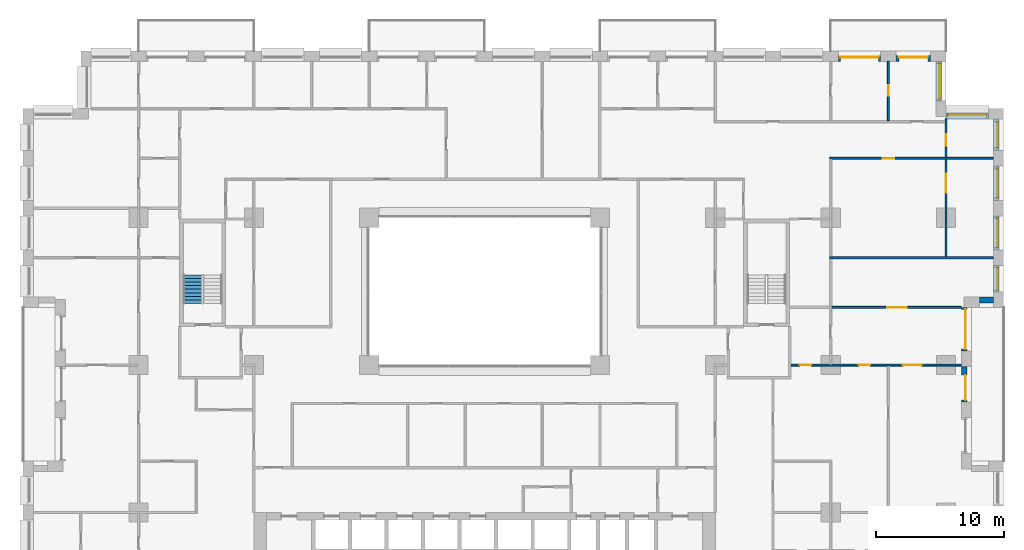
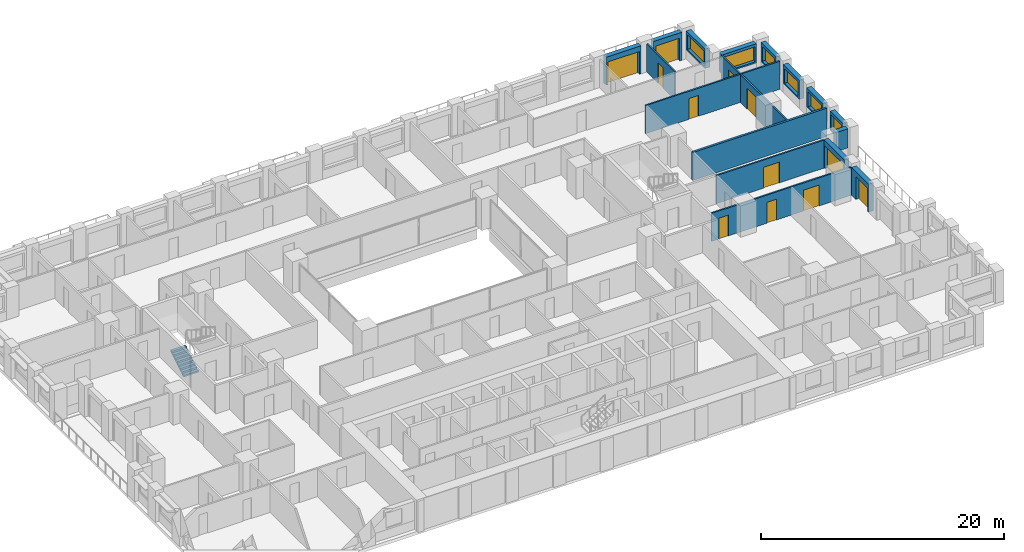
# One storey, part 18 of 21: 18 walls, 12 doors, 6 windows, 1 stair flight, 18 openings, 1 element without a shape of its own.
"""IFC4 building model written with IfcOpenShell, lengths in metres."""

import ifcopenshell
import ifcopenshell.guid

model = None  # the IFC model being written
_history = None  # IfcOwnerHistory: only IFC2X3 demands one
_inside = {}  # id of a spatial element -> (the spatial element, [elements in it])
_under = {}  # id of a project, library or spatial element -> (it, [spatial elements below it])
_declared = {}  # id of a project -> (the project, [libraries it declares])
_typed = {}  # id of a type object -> (the type object, [elements of that type])
_made_of = {}  # id of a material, layer set ... -> (it, [elements and type objects made of it])


def new_model(schema):
    """Start an empty IFC model of exactly this schema.

    Asked for "IFC4X3", IfcOpenShell would pick the latest addendum, in which some entities
    have other attributes; the version numbers below select the first issue.
    IFC2X3 requires an IfcOwnerHistory on every rooted entity: one is made here for all.
    """
    global model, _history
    if schema == "IFC4X3":
        model = ifcopenshell.file(schema_version=(4, 3, 0, 0))
    else:
        model = ifcopenshell.file(schema=schema)
    _inside.clear()
    _under.clear()
    _declared.clear()
    _typed.clear()
    _made_of.clear()
    _history = None
    if model.schema == "IFC2X3":
        org = make("IfcOrganization", Name="unknown")
        user = make(
            "IfcPersonAndOrganization",
            ThePerson=make("IfcPerson", FamilyName="unknown"),
            TheOrganization=org,
        )
        app = make(
            "IfcApplication",
            ApplicationDeveloper=org,
            Version="unknown",
            ApplicationFullName="unknown",
            ApplicationIdentifier="unknown",
        )
        _history = make(
            "IfcOwnerHistory",
            OwningUser=user,
            OwningApplication=app,
            ChangeAction="ADDED",
            CreationDate=0,
        )
    return model


def make(cls, **values):
    """One entity of the class cls with the attributes given. An attribute that is None is left unset."""
    return model.create_entity(
        cls, **{name: value for name, value in values.items() if value is not None}
    )


def rooted(cls, **values):
    """An entity with a GlobalId (a new one), such as an element, a storey or a relation."""
    return make(cls, GlobalId=ifcopenshell.guid.new(), OwnerHistory=_history, **values)


def si_unit(unit_type, name, prefix=None):
    """IfcSIUnit, for example si_unit("LENGTHUNIT", "METRE", prefix="MILLI")."""
    return make("IfcSIUnit", UnitType=unit_type, Prefix=prefix, Name=name)


def assignment(units):
    """IfcUnitAssignment: the units of a project."""
    return None if units is None else make("IfcUnitAssignment", Units=units)


def point(xyz):
    """IfcCartesianPoint."""
    return None if xyz is None else make("IfcCartesianPoint", Coordinates=xyz)


def direction(xyz):
    """IfcDirection."""
    return None if xyz is None else make("IfcDirection", DirectionRatios=xyz)


def frame(location, z_axis=None, x_axis=None):
    """IfcAxis2Placement3D, a coordinate frame: its origin and axes. An axis left out is left unset."""
    return make(
        "IfcAxis2Placement3D",
        Location=point(location),
        Axis=direction(z_axis),
        RefDirection=direction(x_axis),
    )


def frame_2d(location, x_axis=None):
    """IfcAxis2Placement2D, a coordinate frame in the plane: its origin and x axis."""
    return make(
        "IfcAxis2Placement2D", Location=point(location), RefDirection=direction(x_axis)
    )


def origin():
    """The frame at (0, 0, 0) with its axes left unset."""
    return frame((0.0, 0.0, 0.0))


def place(relative_to, where):
    """IfcLocalPlacement: puts the frame where relative to a parent placement (None: the world)."""
    return make(
        "IfcLocalPlacement", PlacementRelTo=relative_to, RelativePlacement=where
    )


def context(
    kind, dimensions, precision=None, world=None, true_north=None, identifier=None
):
    """IfcGeometricRepresentationContext, for example the 3D "Model" context."""
    return make(
        "IfcGeometricRepresentationContext",
        ContextIdentifier=identifier,
        ContextType=kind,
        CoordinateSpaceDimension=dimensions,
        Precision=precision,
        WorldCoordinateSystem=world,
        TrueNorth=true_north,
    )


def subcontext(parent, identifier, kind, view, scale=None):
    """IfcGeometricRepresentationSubContext, for example "Body" below "Model"."""
    return make(
        "IfcGeometricRepresentationSubContext",
        ContextIdentifier=identifier,
        ContextType=kind,
        ParentContext=parent,
        TargetScale=scale,
        TargetView=view,
    )


def project(units=None, contexts=None):
    """IfcProject with its units and contexts."""
    return rooted(
        "IfcProject",
        Name="project",
        RepresentationContexts=contexts,
        UnitsInContext=assignment(units),
    )


def spatial(cls, under=None, at=None, **own):
    """A site, building, storey or space (cls), placed at a placement, below another one or the project."""
    s = rooted(cls, ObjectPlacement=at, **own)
    if under is not None:
        _under.setdefault(under.id(), (under, []))[1].append(s)
    return s


def polyline(points):
    """IfcPolyline through the points."""
    return make("IfcPolyline", Points=[point(p) for p in points])


def profile(cls, at=None, kind="AREA", **sizes):
    """A parametric profile (cls). Its sizes go by their IFC names, for example OverallWidth=200.0."""
    return make(cls, ProfileType=kind, Position=at, **sizes)


def rectangle(**sizes):
    """IfcRectangleProfileDef."""
    return profile("IfcRectangleProfileDef", **sizes)


def outline(outer, holes=None, kind="AREA"):
    """IfcArbitraryClosedProfileDef: a profile drawn as a closed curve; with holes, ...WithVoids."""
    if holes is None:
        return make("IfcArbitraryClosedProfileDef", ProfileType=kind, OuterCurve=outer)
    return make(
        "IfcArbitraryProfileDefWithVoids",
        ProfileType=kind,
        OuterCurve=outer,
        InnerCurves=holes,
    )


def extrude(swept, where, along, depth):
    """IfcExtrudedAreaSolid: the profile swept, set in the frame where, extruded along a direction by depth."""
    return make(
        "IfcExtrudedAreaSolid",
        SweptArea=swept,
        Position=where,
        ExtrudedDirection=direction(along),
        Depth=depth,
    )


def shape(context_of_items, identifier, shape_type, items):
    """IfcShapeRepresentation: the items that make up one representation, for example the "Body"."""
    return make(
        "IfcShapeRepresentation",
        ContextOfItems=context_of_items,
        RepresentationIdentifier=identifier,
        RepresentationType=shape_type,
        Items=items,
    )


def material(Name=None, Category=None):
    """IfcMaterial."""
    return make("IfcMaterial", Name=Name, Category=Category)


def layer(
    of_material, thickness, ventilated=None, Name=None, Category=None, Priority=None
):
    """IfcMaterialLayer: one layer of a wall or slab, of a material (None: an air gap)."""
    return make(
        "IfcMaterialLayer",
        Material=of_material,
        LayerThickness=thickness,
        IsVentilated=ventilated,
        Name=Name,
        Category=Category,
        Priority=Priority,
    )


def layer_set(layers, Name=None):
    """IfcMaterialLayerSet."""
    return make("IfcMaterialLayerSet", MaterialLayers=layers, LayerSetName=Name)


def made_of(thing, what):
    """Note that an element or type object is made of a material, layer set ...; save() writes the relation."""
    if what is not None:
        _made_of.setdefault(what.id(), (what, []))[1].append(thing)
    return thing


def type_object(cls, material=None, **own):
    """A type object (cls), such as IfcWallType, which elements share."""
    return made_of(rooted(cls, **own), material)


def element(
    cls,
    number,
    at=None,
    inside=None,
    cuts=None,
    type_object=None,
    material=None,
    context=None,
    identifier="Body",
    shape_type=None,
    held_by="IfcProductDefinitionShape",
    body=None,
    shapes=None,
    **own,
):
    """One element of the class cls, such as IfcWall. Its Tag is "e" and its number.

    at: its placement. inside: the storey or other place that contains it. cuts: it is an
    opening in that element (IfcRelVoidsElement). A single representation is given by context,
    identifier, shape_type and body (its items); several are given by shapes. held_by: the class
    of the entity that holds the representations. save() writes the other relations.
    """
    e = rooted(cls, Tag="e%d" % number, ObjectPlacement=at, **own)
    if body is not None:
        shapes = [shape(context, identifier, shape_type, body)]
    if shapes is not None:
        e.Representation = make(held_by, Representations=shapes)
    if inside is not None:
        _inside.setdefault(inside.id(), (inside, []))[1].append(e)
    if cuts is not None:
        rooted(
            "IfcRelVoidsElement", RelatingBuildingElement=cuts, RelatedOpeningElement=e
        )
    if type_object is not None:
        _typed.setdefault(type_object.id(), (type_object, []))[1].append(e)
    return made_of(e, material)


def fill(opening, filler):
    """IfcRelFillsElement: the door or window that sits in an opening."""
    return rooted(
        "IfcRelFillsElement",
        RelatingOpeningElement=opening,
        RelatedBuildingElement=filler,
    )


def aggregate(whole, parts):
    """IfcRelAggregates: a whole, such as a stair, and the parts it consists of."""
    return rooted("IfcRelAggregates", RelatingObject=whole, RelatedObjects=parts)


def save(model, path):
    """Write the relations noted so far, then the file.

    IfcRelAggregates (storeys below a building ...), IfcRelContainedInSpatialStructure (elements
    in a storey), IfcRelDefinesByType, IfcRelAssociatesMaterial and IfcRelDeclares: one each for
    every whole, place, type object, material and project.
    """
    for whole, parts in _under.values():
        aggregate(whole, parts)
    for where, things in _inside.values():
        rooted(
            "IfcRelContainedInSpatialStructure",
            RelatedElements=things,
            RelatingStructure=where,
        )
    for kind, things in _typed.values():
        rooted("IfcRelDefinesByType", RelatedObjects=things, RelatingType=kind)
    for what, things in _made_of.values():
        rooted("IfcRelAssociatesMaterial", RelatedObjects=things, RelatingMaterial=what)
    for by, libraries in _declared.values():
        rooted("IfcRelDeclares", RelatingContext=by, RelatedDefinitions=libraries)
    model.write(path)


model = new_model("IFC4")

# Units and contexts
model_context = context("Model", 3, precision=1e-05, world=origin(), true_north=direction((0.0, 1.0)))
body_context = subcontext(model_context, "Body", "Model", "MODEL_VIEW")
ifc_project = project(units=[si_unit("LENGTHUNIT", "METRE"), si_unit("AREAUNIT", "SQUARE_METRE"), si_unit("VOLUMEUNIT", "CUBIC_METRE"), si_unit("PLANEANGLEUNIT", "RADIAN"), si_unit("MASSUNIT", "GRAM", prefix="KILO")], contexts=[model_context])

# Site, building, storey
site_placement = place(None, origin())
site = spatial("IfcSite", under=ifc_project, at=site_placement, CompositionType="ELEMENT")
building_placement = place(site_placement, origin())
building = spatial("IfcBuilding", under=site, at=building_placement, Name="Brigalow Station Residences", CompositionType="ELEMENT")
storey_placement = place(building_placement, frame((0.0, 0.0, 51.0)))
storey = spatial("IfcBuildingStorey", under=building, at=storey_placement, Name="L14", CompositionType="ELEMENT", Elevation=51.0)

# Wall, opening, door
ifc_material_1 = material(Name="Clay brick masonry", Category="masonry")
ifc_layer_1 = layer(ifc_material_1, 0.449951171875)
ifc_layer_set_1 = layer_set([ifc_layer_1], Name="BRICK INFILL WALL 450")
wall_type_1 = type_object("IfcWallType", Name="BRICK INFILL WALL 450", PredefinedType="SOLIDWALL", material=ifc_layer_set_1)
wall_1_placement = place(storey_placement, frame((73.425048828125, 21.10009765625, 0.0), z_axis=(0.0, 0.0, 1.0), x_axis=(0.0, 1.0, 0.0)))
wall_1 = element("IfcWall", 1, at=wall_1_placement, inside=storey, type_object=wall_type_1, Name="L14/ewall/W-L14-16", PredefinedType="SOLIDWALL", context=body_context, shape_type="SweptSolid", body=[
    extrude(rectangle(XDim=2.7998046875, YDim=0.449951171875, at=frame_2d((1.39990234375, 0.0))), origin(), (0.0, 0.0, 1.0), 2.830078125),
])
opening_1_placement = place(wall_1_placement, frame((0.1650390625, 0.0, 0.0)))
opening_1 = element("IfcOpeningElement", 2, at=opening_1_placement, cuts=wall_1, Name="Opening D-B1950", PredefinedType="OPENING", context=body_context, shape_type="SweptSolid", body=[
    extrude(rectangle(XDim=1.949951171875, YDim=2.300048828125, at=frame_2d((0.97509765625, 1.14990234375))), frame((0.0, 0.23486328125, 0.0), z_axis=(0.0, -1.0, 0.0), x_axis=(1.0, 0.0, 0.0)), (0.0, 0.0, 1.0), 0.469970703125),
])
ifc_material_2 = material(Name="Anodised aluminium frame with double glazing", Category="aluminium")
door_type_1 = type_object("IfcDoorType", Name="BALCONY SLIDING DOOR 1950x2300", OperationType="SLIDING_TO_LEFT", PredefinedType="DOOR", material=ifc_material_2)
door_1_placement = place(opening_1_placement, origin())
door_1 = element("IfcDoor", 3, at=door_1_placement, inside=storey, type_object=door_type_1, Name="L14/balcony-door/W-L14-16", OperationType="SLIDING_TO_LEFT", OverallHeight=2.300048828125, OverallWidth=1.949951171875, PredefinedType="DOOR", context=body_context, shape_type="SweptSolid", body=[
    extrude(rectangle(XDim=1.949951171875, YDim=2.300048828125, at=frame_2d((0.97509765625, 1.14990234375))), frame((0.0, -0.06982421875, 0.0), z_axis=(0.0, -1.0, 0.0), x_axis=(1.0, 0.0, 0.0)), (0.0, 0.0, 1.0), 0.050048828125),
])
fill(opening_1, door_1)

wall_2_placement = place(storey_placement, frame((73.425048828125, 25.10009765625, 0.0), z_axis=(0.0, 0.0, 1.0), x_axis=(0.0, 1.0, 0.0)))
wall_2 = element("IfcWall", 4, at=wall_2_placement, inside=storey, type_object=wall_type_1, Name="L14/ewall/W-L14-17", PredefinedType="SOLIDWALL", context=body_context, shape_type="SweptSolid", body=[
    extrude(rectangle(XDim=3.39990234375, YDim=0.449951171875, at=frame_2d((1.699951171875, 0.0))), origin(), (0.0, 0.0, 1.0), 2.830078125),
])
opening_2_placement = place(wall_2_placement, frame((0.14990234375, 0.0, 0.0)))
opening_2 = element("IfcOpeningElement", 5, at=opening_2_placement, cuts=wall_2, Name="Opening D-B3100", PredefinedType="OPENING", context=body_context, shape_type="SweptSolid", body=[
    extrude(rectangle(XDim=3.10009765625, YDim=2.300048828125, at=frame_2d((1.550048828125, 1.14990234375))), frame((0.0, 0.23486328125, 0.0), z_axis=(0.0, -1.0, 0.0), x_axis=(1.0, 0.0, 0.0)), (0.0, 0.0, 1.0), 0.469970703125),
])
ifc_material_3 = material(Name="Anodised aluminium frame with double glazing", Category="aluminium")
door_type_2 = type_object("IfcDoorType", Name="BALCONY SLIDING DOOR 3100x2300", OperationType="SLIDING_TO_LEFT", PredefinedType="DOOR", material=ifc_material_3)
door_2_placement = place(opening_2_placement, origin())
door_2 = element("IfcDoor", 6, at=door_2_placement, inside=storey, type_object=door_type_2, Name="L14/balcony-door/W-L14-17", OperationType="SLIDING_TO_LEFT", OverallHeight=2.300048828125, OverallWidth=3.10009765625, PredefinedType="DOOR", context=body_context, shape_type="SweptSolid", body=[
    extrude(rectangle(XDim=3.10009765625, YDim=2.300048828125, at=frame_2d((1.550048828125, 1.14990234375))), frame((0.0, -0.06982421875, 0.0), z_axis=(0.0, -1.0, 0.0), x_axis=(1.0, 0.0, 0.0)), (0.0, 0.0, 1.0), 0.050048828125),
])
fill(opening_2, door_2)

# Wall
wall_3_placement = place(storey_placement, frame((74.60009765625, 29.074951171875, 0.89990234375), z_axis=(0.0, 0.0, 1.0), x_axis=(1.0, 0.0, 0.0)))
element("IfcWall", 7, at=wall_3_placement, inside=storey, type_object=wall_type_1, Name="L14/ewall/W-L14-18", PredefinedType="SOLIDWALL", context=body_context, shape_type="SweptSolid", body=[
    extrude(rectangle(XDim=1.099853515625, YDim=0.449951171875, at=frame_2d((0.5498046875, 0.0))), origin(), (0.0, 0.0, 1.0), 1.93017578125),
])

# Wall, opening, window
wall_4_placement = place(storey_placement, frame((75.925048828125, 29.699951171875, 0.89990234375), z_axis=(0.0, 0.0, 1.0), x_axis=(0.0, 1.0, 0.0)))
wall_4 = element("IfcWall", 8, at=wall_4_placement, inside=storey, type_object=wall_type_1, Name="L14/ewall/W-L14-19", PredefinedType="SOLIDWALL", context=body_context, shape_type="SweptSolid", body=[
    extrude(rectangle(XDim=2.074951171875, YDim=0.449951171875, at=frame_2d((1.03759765625, 0.0))), origin(), (0.0, 0.0, 1.0), 1.93017578125),
])
opening_3_placement = place(wall_4_placement, frame((0.16259765625, 0.0, 0.14990234375)))
opening_3 = element("IfcOpeningElement", 9, at=opening_3_placement, cuts=wall_4, Name="Opening WT-4", PredefinedType="OPENING", context=body_context, shape_type="SweptSolid", body=[
    extrude(rectangle(XDim=1.75, YDim=1.5, at=frame_2d((0.875, 0.75))), frame((0.0, 0.23486328125, 0.0), z_axis=(0.0, -1.0, 0.0), x_axis=(1.0, 0.0, 0.0)), (0.0, 0.0, 1.0), 0.469970703125),
])
ifc_material_4 = material(Name="Anodised aluminium frame with double glazing", Category="aluminium")
window_type_1 = type_object("IfcWindowType", Name="WINDOW 1750x1500", PartitioningType="SINGLE_PANEL", PredefinedType="WINDOW", material=ifc_material_4)
window_1_placement = place(opening_3_placement, origin())
window_1 = element("IfcWindow", 10, at=window_1_placement, inside=storey, type_object=window_type_1, Name="L14/window/W-L14-19", OverallHeight=1.5, OverallWidth=1.75, PartitioningType="SINGLE_PANEL", PredefinedType="WINDOW", context=body_context, shape_type="SweptSolid", body=[
    extrude(rectangle(XDim=1.75, YDim=1.5, at=frame_2d((0.875, 0.75))), frame((0.0, -0.06494140625, 0.0), z_axis=(0.0, -1.0, 0.0), x_axis=(1.0, 0.0, 0.0)), (0.0, 0.0, 1.0), 0.06005859375),
])
fill(opening_3, window_1)

wall_5_placement = place(storey_placement, frame((75.925048828125, 32.97509765625, 0.89990234375), z_axis=(0.0, 0.0, 1.0), x_axis=(0.0, 1.0, 0.0)))
wall_5 = element("IfcWall", 11, at=wall_5_placement, inside=storey, type_object=wall_type_1, Name="L14/ewall/W-L14-20", PredefinedType="SOLIDWALL", context=body_context, shape_type="SweptSolid", body=[
    extrude(rectangle(XDim=2.6748046875, YDim=0.449951171875, at=frame_2d((1.33740234375, 0.0))), origin(), (0.0, 0.0, 1.0), 1.93017578125),
])
opening_4_placement = place(wall_5_placement, frame((0.21240234375, 0.0, 0.14990234375)))
opening_4 = element("IfcOpeningElement", 12, at=opening_4_placement, cuts=wall_5, Name="Opening WT-6", PredefinedType="OPENING", context=body_context, shape_type="SweptSolid", body=[
    extrude(rectangle(XDim=2.25, YDim=1.5, at=frame_2d((1.125, 0.75))), frame((0.0, 0.23486328125, 0.0), z_axis=(0.0, -1.0, 0.0), x_axis=(1.0, 0.0, 0.0)), (0.0, 0.0, 1.0), 0.469970703125),
])
ifc_material_5 = material(Name="Anodised aluminium frame with double glazing", Category="aluminium")
window_type_2 = type_object("IfcWindowType", Name="WINDOW 2250x1500", PartitioningType="SINGLE_PANEL", PredefinedType="WINDOW", material=ifc_material_5)
window_2_placement = place(opening_4_placement, origin())
window_2 = element("IfcWindow", 13, at=window_2_placement, inside=storey, type_object=window_type_2, Name="L14/window/W-L14-20", OverallHeight=1.5, OverallWidth=2.25, PartitioningType="SINGLE_PANEL", PredefinedType="WINDOW", context=body_context, shape_type="SweptSolid", body=[
    extrude(rectangle(XDim=2.25, YDim=1.5, at=frame_2d((1.125, 0.75))), frame((0.0, -0.06494140625, 0.0), z_axis=(0.0, -1.0, 0.0), x_axis=(1.0, 0.0, 0.0)), (0.0, 0.0, 1.0), 0.06005859375),
])
fill(opening_4, window_2)

wall_6_placement = place(storey_placement, frame((75.925048828125, 36.85009765625, 0.89990234375), z_axis=(0.0, 0.0, 1.0), x_axis=(0.0, 1.0, 0.0)))
wall_6 = element("IfcWall", 14, at=wall_6_placement, inside=storey, type_object=wall_type_1, Name="L14/ewall/W-L14-21", PredefinedType="SOLIDWALL", context=body_context, shape_type="SweptSolid", body=[
    extrude(rectangle(XDim=2.6748046875, YDim=0.449951171875, at=frame_2d((1.33740234375, 0.0))), origin(), (0.0, 0.0, 1.0), 1.93017578125),
])
opening_5_placement = place(wall_6_placement, frame((0.21240234375, 0.0, 0.14990234375)))
opening_5 = element("IfcOpeningElement", 15, at=opening_5_placement, cuts=wall_6, Name="Opening WT-6", PredefinedType="OPENING", context=body_context, shape_type="SweptSolid", body=[
    extrude(rectangle(XDim=2.25, YDim=1.5, at=frame_2d((1.125, 0.75))), frame((0.0, 0.23486328125, 0.0), z_axis=(0.0, -1.0, 0.0), x_axis=(1.0, 0.0, 0.0)), (0.0, 0.0, 1.0), 0.469970703125),
])
window_3_placement = place(opening_5_placement, origin())
window_3 = element("IfcWindow", 16, at=window_3_placement, inside=storey, type_object=window_type_2, Name="L14/window/W-L14-21", OverallHeight=1.5, OverallWidth=2.25, PartitioningType="SINGLE_PANEL", PredefinedType="WINDOW", context=body_context, shape_type="SweptSolid", body=[
    extrude(rectangle(XDim=2.25, YDim=1.5, at=frame_2d((1.125, 0.75))), frame((0.0, -0.06494140625, 0.0), z_axis=(0.0, -1.0, 0.0), x_axis=(1.0, 0.0, 0.0)), (0.0, 0.0, 1.0), 0.06005859375),
])
fill(opening_5, window_3)

wall_7_placement = place(storey_placement, frame((75.925048828125, 40.72509765625, 0.89990234375), z_axis=(0.0, 0.0, 1.0), x_axis=(0.0, 1.0, 0.0)))
wall_7 = element("IfcWall", 17, at=wall_7_placement, inside=storey, type_object=wall_type_1, Name="L14/ewall/W-L14-22", PredefinedType="SOLIDWALL", context=body_context, shape_type="SweptSolid", body=[
    extrude(rectangle(XDim=2.474853515625, YDim=0.449951171875, at=frame_2d((1.2373046875, 0.0))), origin(), (0.0, 0.0, 1.0), 1.93017578125),
])
opening_6_placement = place(wall_7_placement, frame((0.237548828125, 0.0, 0.14990234375)))
opening_6 = element("IfcOpeningElement", 18, at=opening_6_placement, cuts=wall_7, Name="Opening WT-7", PredefinedType="OPENING", context=body_context, shape_type="SweptSolid", body=[
    extrude(rectangle(XDim=2.0, YDim=1.5, at=frame_2d((1.0, 0.75))), frame((0.0, 0.23486328125, 0.0), z_axis=(0.0, -1.0, 0.0), x_axis=(1.0, 0.0, 0.0)), (0.0, 0.0, 1.0), 0.469970703125),
])
ifc_material_6 = material(Name="Anodised aluminium frame with double glazing", Category="aluminium")
window_type_3 = type_object("IfcWindowType", Name="WINDOW 2000x1500", PartitioningType="SINGLE_PANEL", PredefinedType="WINDOW", material=ifc_material_6)
window_4_placement = place(opening_6_placement, origin())
window_4 = element("IfcWindow", 19, at=window_4_placement, inside=storey, type_object=window_type_3, Name="L14/window/W-L14-22", OverallHeight=1.5, OverallWidth=2.0, PartitioningType="SINGLE_PANEL", PredefinedType="WINDOW", context=body_context, shape_type="SweptSolid", body=[
    extrude(rectangle(XDim=2.0, YDim=1.5, at=frame_2d((1.0, 0.75))), frame((0.0, -0.06494140625, 0.0), z_axis=(0.0, -1.0, 0.0), x_axis=(1.0, 0.0, 0.0)), (0.0, 0.0, 1.0), 0.06005859375),
])
fill(opening_6, window_4)

wall_8_placement = place(storey_placement, frame((75.300048828125, 43.425048828125, 0.89990234375), z_axis=(0.0, 0.0, 1.0), x_axis=(-1.0, 0.0, 0.0)))
wall_8 = element("IfcWall", 20, at=wall_8_placement, inside=storey, type_object=wall_type_1, Name="L14/ewall/W-L14-23", PredefinedType="SOLIDWALL", context=body_context, shape_type="SweptSolid", body=[
    extrude(rectangle(XDim=3.300048828125, YDim=0.449951171875, at=frame_2d((1.64990234375, 0.0))), origin(), (0.0, 0.0, 1.0), 1.93017578125),
])
opening_7_placement = place(wall_8_placement, frame((0.14990234375, 0.0, 0.14990234375)))
opening_7 = element("IfcOpeningElement", 21, at=opening_7_placement, cuts=wall_8, Name="Opening WT-2", PredefinedType="OPENING", context=body_context, shape_type="SweptSolid", body=[
    extrude(rectangle(XDim=3.0, YDim=1.5, at=frame_2d((1.5, 0.75))), frame((0.0, 0.23486328125, 0.0), z_axis=(0.0, -1.0, 0.0), x_axis=(1.0, 0.0, 0.0)), (0.0, 0.0, 1.0), 0.469970703125),
])
ifc_material_7 = material(Name="Anodised aluminium frame with double glazing", Category="aluminium")
window_type_4 = type_object("IfcWindowType", Name="WINDOW 3000x1500", PartitioningType="SINGLE_PANEL", PredefinedType="WINDOW", material=ifc_material_7)
window_5_placement = place(opening_7_placement, origin())
window_5 = element("IfcWindow", 22, at=window_5_placement, inside=storey, type_object=window_type_4, Name="L14/window/W-L14-23", OverallHeight=1.5, OverallWidth=3.0, PartitioningType="SINGLE_PANEL", PredefinedType="WINDOW", context=body_context, shape_type="SweptSolid", body=[
    extrude(rectangle(XDim=3.0, YDim=1.5, at=frame_2d((1.5, 0.75))), frame((0.0, -0.06494140625, 0.0), z_axis=(0.0, -1.0, 0.0), x_axis=(1.0, 0.0, 0.0)), (0.0, 0.0, 1.0), 0.06005859375),
])
fill(opening_7, window_5)

wall_9_placement = place(storey_placement, frame((71.425048828125, 44.60009765625, 0.89990234375), z_axis=(0.0, 0.0, 1.0), x_axis=(0.0, 1.0, 0.0)))
wall_9 = element("IfcWall", 23, at=wall_9_placement, inside=storey, type_object=wall_type_1, Name="L14/ewall/W-L14-24", PredefinedType="SOLIDWALL", context=body_context, shape_type="SweptSolid", body=[
    extrude(rectangle(XDim=3.099853515625, YDim=0.449951171875, at=frame_2d((1.5498046875, 0.0))), origin(), (0.0, 0.0, 1.0), 1.93017578125),
])
opening_8_placement = place(wall_9_placement, frame((0.175048828125, 0.0, 0.14990234375)))
opening_8 = element("IfcOpeningElement", 24, at=opening_8_placement, cuts=wall_9, Name="Opening WT-3", PredefinedType="OPENING", context=body_context, shape_type="SweptSolid", body=[
    extrude(rectangle(XDim=2.75, YDim=1.5, at=frame_2d((1.375, 0.75))), frame((0.0, 0.23486328125, 0.0), z_axis=(0.0, -1.0, 0.0), x_axis=(1.0, 0.0, 0.0)), (0.0, 0.0, 1.0), 0.469970703125),
])
ifc_material_8 = material(Name="Anodised aluminium frame with double glazing", Category="aluminium")
window_type_5 = type_object("IfcWindowType", Name="WINDOW 2750x1500", PartitioningType="SINGLE_PANEL", PredefinedType="WINDOW", material=ifc_material_8)
window_6_placement = place(opening_8_placement, origin())
window_6 = element("IfcWindow", 25, at=window_6_placement, inside=storey, type_object=window_type_5, Name="L14/window/W-L14-24", OverallHeight=1.5, OverallWidth=2.75, PartitioningType="SINGLE_PANEL", PredefinedType="WINDOW", context=body_context, shape_type="SweptSolid", body=[
    extrude(rectangle(XDim=2.75, YDim=1.5, at=frame_2d((1.375, 0.75))), frame((0.0, -0.06494140625, 0.0), z_axis=(0.0, -1.0, 0.0), x_axis=(1.0, 0.0, 0.0)), (0.0, 0.0, 1.0), 0.06005859375),
])
fill(opening_8, window_6)

# Wall, opening, door
wall_10_placement = place(storey_placement, frame((70.800048828125, 47.925048828125, 0.0), z_axis=(0.0, 0.0, 1.0), x_axis=(-1.0, 0.0, 0.0)))
wall_10 = element("IfcWall", 26, at=wall_10_placement, inside=storey, type_object=wall_type_1, Name="L14/ewall/W-L14-25", PredefinedType="SOLIDWALL", context=body_context, shape_type="SweptSolid", body=[
    extrude(rectangle(XDim=2.699951171875, YDim=0.449951171875, at=frame_2d((1.35009765625, 0.0))), origin(), (0.0, 0.0, 1.0), 2.830078125),
])
opening_9_placement = place(wall_10_placement, frame((0.22509765625, 0.0, 0.0)))
opening_9 = element("IfcOpeningElement", 27, at=opening_9_placement, cuts=wall_10, Name="Opening D-B2250", PredefinedType="OPENING", context=body_context, shape_type="SweptSolid", body=[
    extrude(rectangle(XDim=2.25, YDim=2.300048828125, at=frame_2d((1.125, 1.14990234375))), frame((0.0, 0.23486328125, 0.0), z_axis=(0.0, -1.0, 0.0), x_axis=(1.0, 0.0, 0.0)), (0.0, 0.0, 1.0), 0.469970703125),
])
ifc_material_9 = material(Name="Anodised aluminium frame with double glazing", Category="aluminium")
door_type_3 = type_object("IfcDoorType", Name="BALCONY SLIDING DOOR 2250x2300", OperationType="SLIDING_TO_LEFT", PredefinedType="DOOR", material=ifc_material_9)
door_3_placement = place(opening_9_placement, origin())
door_3 = element("IfcDoor", 28, at=door_3_placement, inside=storey, type_object=door_type_3, Name="L14/balcony-door/W-L14-25", OperationType="SLIDING_TO_LEFT", OverallHeight=2.300048828125, OverallWidth=2.25, PredefinedType="DOOR", context=body_context, shape_type="SweptSolid", body=[
    extrude(rectangle(XDim=2.25, YDim=2.300048828125, at=frame_2d((1.125, 1.14990234375))), frame((0.0, -0.06982421875, 0.0), z_axis=(0.0, -1.0, 0.0), x_axis=(1.0, 0.0, 0.0)), (0.0, 0.0, 1.0), 0.050048828125),
])
fill(opening_9, door_3)

wall_11_placement = place(storey_placement, frame((66.89990234375, 47.925048828125, 0.0), z_axis=(0.0, 0.0, 1.0), x_axis=(-1.0, 0.0, 0.0)))
wall_11 = element("IfcWall", 29, at=wall_11_placement, inside=storey, type_object=wall_type_1, Name="L14/ewall/W-L14-26", PredefinedType="SOLIDWALL", context=body_context, shape_type="SweptSolid", body=[
    extrude(rectangle(XDim=3.2998046875, YDim=0.449951171875, at=frame_2d((1.64990234375, 0.0))), origin(), (0.0, 0.0, 1.0), 2.830078125),
])
opening_10_placement = place(wall_11_placement, frame((0.14990234375, 0.0, 0.0)))
opening_10 = element("IfcOpeningElement", 30, at=opening_10_placement, cuts=wall_11, Name="Opening D-B3000", PredefinedType="OPENING", context=body_context, shape_type="SweptSolid", body=[
    extrude(rectangle(XDim=3.0, YDim=2.300048828125, at=frame_2d((1.5, 1.14990234375))), frame((0.0, 0.23486328125, 0.0), z_axis=(0.0, -1.0, 0.0), x_axis=(1.0, 0.0, 0.0)), (0.0, 0.0, 1.0), 0.469970703125),
])
ifc_material_10 = material(Name="Anodised aluminium frame with double glazing", Category="aluminium")
door_type_4 = type_object("IfcDoorType", Name="BALCONY SLIDING DOOR 3000x2300", OperationType="SLIDING_TO_LEFT", PredefinedType="DOOR", material=ifc_material_10)
door_4_placement = place(opening_10_placement, origin())
door_4 = element("IfcDoor", 31, at=door_4_placement, inside=storey, type_object=door_type_4, Name="L14/balcony-door/W-L14-26", OperationType="SLIDING_TO_LEFT", OverallHeight=2.300048828125, OverallWidth=3.0, PredefinedType="DOOR", context=body_context, shape_type="SweptSolid", body=[
    extrude(rectangle(XDim=3.0, YDim=2.300048828125, at=frame_2d((1.5, 1.14990234375))), frame((0.0, -0.06982421875, 0.0), z_axis=(0.0, -1.0, 0.0), x_axis=(1.0, 0.0, 0.0)), (0.0, 0.0, 1.0), 0.050048828125),
])
fill(opening_10, door_4)

# Wall, openings, doors
ifc_material_11 = material(Name="Plasterboard on steel stud partition", Category="steel")
ifc_layer_2 = layer(ifc_material_11, 0.14990234375)
ifc_layer_set_2 = layer_set([ifc_layer_2], Name="FLAT PARTITION 150")
wall_type_2 = type_object("IfcWallType", Name="FLAT PARTITION 150", PredefinedType="PARTITIONING", material=ifc_layer_set_2)
wall_12_placement = place(storey_placement, frame((59.89990234375, 24.0, 0.0), z_axis=(0.0, 0.0, 1.0), x_axis=(1.0, 0.0, 0.0)))
wall_12 = element("IfcWall", 32, at=wall_12_placement, inside=storey, type_object=wall_type_2, Name="PW-1D03", PredefinedType="PARTITIONING", context=body_context, shape_type="SweptSolid", body=[
    extrude(rectangle(XDim=13.300048828125, YDim=0.14990234375, at=frame_2d((6.64990234375, 0.0))), origin(), (0.0, 0.0, 1.0), 2.830078125),
])
opening_11_placement = place(wall_12_placement, frame((5.27490234375, 0.0, 0.0)))
opening_11 = element("IfcOpeningElement", 33, at=opening_11_placement, cuts=wall_12, Name="Opening D-1D54", PredefinedType="OPENING", context=body_context, shape_type="SweptSolid", body=[
    extrude(rectangle(XDim=0.89990234375, YDim=2.10009765625, at=frame_2d((0.449951171875, 1.050048828125))), frame((0.0, 0.0849609375, 0.0), z_axis=(0.0, -1.0, 0.0), x_axis=(1.0, 0.0, 0.0)), (0.0, 0.0, 1.0), 0.169921875),
])
opening_12_placement = place(wall_12_placement, frame((8.72509765625, 0.0, 0.0)))
opening_12 = element("IfcOpeningElement", 34, at=opening_12_placement, cuts=wall_12, Name="Opening D-1D55", PredefinedType="OPENING", context=body_context, shape_type="SweptSolid", body=[
    extrude(rectangle(XDim=1.5, YDim=2.10009765625, at=frame_2d((0.75, 1.050048828125))), frame((0.0, 0.0849609375, 0.0), z_axis=(0.0, -1.0, 0.0), x_axis=(1.0, 0.0, 0.0)), (0.0, 0.0, 1.0), 0.169921875),
])
opening_13_placement = place(wall_12_placement, frame((0.675048828125, 0.0, 0.0)))
opening_13 = element("IfcOpeningElement", 35, at=opening_13_placement, cuts=wall_12, Name="Opening D-1D64", PredefinedType="OPENING", context=body_context, shape_type="SweptSolid", body=[
    extrude(rectangle(XDim=0.89990234375, YDim=2.10009765625, at=frame_2d((0.449951171875, 1.050048828125))), frame((0.0, 0.0849609375, 0.0), z_axis=(0.0, -1.0, 0.0), x_axis=(1.0, 0.0, 0.0)), (0.0, 0.0, 1.0), 0.169921875),
])
ifc_material_12 = material(Name="Solid-core timber door leaf", Category="wood")
door_type_5 = type_object("IfcDoorType", Name="INTERNAL DOOR 900 x 2100", OperationType="SINGLE_SWING_LEFT", PredefinedType="DOOR", material=ifc_material_12)
door_5_placement = place(opening_11_placement, origin())
door_5 = element("IfcDoor", 36, at=door_5_placement, inside=storey, type_object=door_type_5, Name="D-1D54", OperationType="SINGLE_SWING_LEFT", OverallHeight=2.10009765625, OverallWidth=0.89990234375, PredefinedType="DOOR", context=body_context, shape_type="SweptSolid", body=[
    extrude(rectangle(XDim=0.89990234375, YDim=2.10009765625, at=frame_2d((0.449951171875, 1.050048828125))), frame((0.0, 0.02490234375, 0.0), z_axis=(0.0, -1.0, 0.0), x_axis=(1.0, 0.0, 0.0)), (0.0, 0.0, 1.0), 0.050048828125),
])
fill(opening_11, door_5)
door_6_placement = place(opening_13_placement, origin())
door_6 = element("IfcDoor", 37, at=door_6_placement, inside=storey, type_object=door_type_5, Name="D-1D64", OperationType="SINGLE_SWING_LEFT", OverallHeight=2.10009765625, OverallWidth=0.89990234375, PredefinedType="DOOR", context=body_context, shape_type="SweptSolid", body=[
    extrude(rectangle(XDim=0.89990234375, YDim=2.10009765625, at=frame_2d((0.449951171875, 1.050048828125))), frame((0.0, 0.02490234375, 0.0), z_axis=(0.0, -1.0, 0.0), x_axis=(1.0, 0.0, 0.0)), (0.0, 0.0, 1.0), 0.050048828125),
])
fill(opening_13, door_6)
ifc_material_13 = material(Name="Solid-core timber door leaf", Category="wood")
door_type_6 = type_object("IfcDoorType", Name="INTERNAL DOUBLE DOOR 1500 x 2100", OperationType="DOUBLE_DOOR_SINGLE_SWING", PredefinedType="DOOR", material=ifc_material_13)
door_7_placement = place(opening_12_placement, origin())
door_7 = element("IfcDoor", 38, at=door_7_placement, inside=storey, type_object=door_type_6, Name="D-1D55", OperationType="DOUBLE_DOOR_SINGLE_SWING", OverallHeight=2.10009765625, OverallWidth=1.5, PredefinedType="DOOR", context=body_context, shape_type="SweptSolid", body=[
    extrude(rectangle(XDim=1.5, YDim=2.10009765625, at=frame_2d((0.75, 1.050048828125))), frame((0.0, 0.02490234375, 0.0), z_axis=(0.0, -1.0, 0.0), x_axis=(1.0, 0.0, 0.0)), (0.0, 0.0, 1.0), 0.050048828125),
])
fill(opening_12, door_7)

# Wall, opening, door
wall_13_placement = place(storey_placement, frame((62.925048828125, 40.125, 0.0), z_axis=(0.0, 0.0, 1.0), x_axis=(1.0, 0.0, 0.0)))
wall_13 = element("IfcWall", 39, at=wall_13_placement, inside=storey, type_object=wall_type_2, Name="PW-1D29", PredefinedType="PARTITIONING", context=body_context, shape_type="SweptSolid", body=[
    extrude(rectangle(XDim=12.77490234375, YDim=0.14990234375, at=frame_2d((6.387451171875, 0.0))), origin(), (0.0, 0.0, 1.0), 2.830078125),
])
opening_14_placement = place(wall_13_placement, frame((4.125, 0.0, 0.0)))
opening_14 = element("IfcOpeningElement", 40, at=opening_14_placement, cuts=wall_13, Name="Opening D-1D42", PredefinedType="OPENING", context=body_context, shape_type="SweptSolid", body=[
    extrude(rectangle(XDim=0.89990234375, YDim=2.10009765625, at=frame_2d((0.449951171875, 1.050048828125))), frame((0.0, 0.0849609375, 0.0), z_axis=(0.0, -1.0, 0.0), x_axis=(1.0, 0.0, 0.0)), (0.0, 0.0, 1.0), 0.169921875),
])
door_8_placement = place(opening_14_placement, frame((0.89990234375, 0.0, 0.0), z_axis=(0.0, 0.0, 1.0), x_axis=(-1.0, 0.0, 0.0)))
door_8 = element("IfcDoor", 41, at=door_8_placement, inside=storey, type_object=door_type_5, Name="D-1D42", OperationType="SINGLE_SWING_LEFT", OverallHeight=2.10009765625, OverallWidth=0.89990234375, PredefinedType="DOOR", context=body_context, shape_type="SweptSolid", body=[
    extrude(rectangle(XDim=0.89990234375, YDim=2.10009765625, at=frame_2d((0.449951171875, 1.050048828125))), frame((0.0, 0.02490234375, 0.0), z_axis=(0.0, -1.0, 0.0), x_axis=(1.0, 0.0, 0.0)), (0.0, 0.0, 1.0), 0.050048828125),
])
fill(opening_14, door_8)

wall_14_placement = place(storey_placement, frame((62.925048828125, 28.5, 0.0), z_axis=(0.0, 0.0, 1.0), x_axis=(1.0, 0.0, 0.0)))
wall_14 = element("IfcWall", 42, at=wall_14_placement, inside=storey, type_object=wall_type_2, Name="PW-1D31", PredefinedType="PARTITIONING", context=body_context, shape_type="SweptSolid", body=[
    extrude(rectangle(XDim=10.27490234375, YDim=0.14990234375, at=frame_2d((5.137451171875, 0.0))), origin(), (0.0, 0.0, 1.0), 2.830078125),
])
opening_15_placement = place(wall_14_placement, frame((4.5, 0.0, 0.0)))
opening_15 = element("IfcOpeningElement", 43, at=opening_15_placement, cuts=wall_14, Name="Opening D-1D53", PredefinedType="OPENING", context=body_context, shape_type="SweptSolid", body=[
    extrude(rectangle(XDim=1.5, YDim=2.10009765625, at=frame_2d((0.75, 1.050048828125))), frame((0.0, 0.0849609375, 0.0), z_axis=(0.0, -1.0, 0.0), x_axis=(1.0, 0.0, 0.0)), (0.0, 0.0, 1.0), 0.169921875),
])
door_9_placement = place(opening_15_placement, frame((1.5, 0.0, 0.0), z_axis=(0.0, 0.0, 1.0), x_axis=(-1.0, 0.0, 0.0)))
door_9 = element("IfcDoor", 44, at=door_9_placement, inside=storey, type_object=door_type_6, Name="D-1D53", OperationType="DOUBLE_DOOR_SINGLE_SWING", OverallHeight=2.10009765625, OverallWidth=1.5, PredefinedType="DOOR", context=body_context, shape_type="SweptSolid", body=[
    extrude(rectangle(XDim=1.5, YDim=2.10009765625, at=frame_2d((0.75, 1.050048828125))), frame((0.0, 0.02490234375, 0.0), z_axis=(0.0, -1.0, 0.0), x_axis=(1.0, 0.0, 0.0)), (0.0, 0.0, 1.0), 0.050048828125),
])
fill(opening_15, door_9)

wall_15_placement = place(storey_placement, frame((72.0, 32.47509765625, 0.0), z_axis=(0.0, 0.0, 1.0), x_axis=(0.0, 1.0, 0.0)))
wall_15 = element("IfcWall", 45, at=wall_15_placement, inside=storey, type_object=wall_type_2, Name="PW-1D76", PredefinedType="PARTITIONING", context=body_context, shape_type="SweptSolid", body=[
    extrude(rectangle(XDim=7.574951171875, YDim=0.14990234375, at=frame_2d((3.78759765625, 0.0))), origin(), (0.0, 0.0, 1.0), 2.830078125),
])
opening_16_placement = place(wall_15_placement, frame((4.962890625, 0.0, 0.0)))
opening_16 = element("IfcOpeningElement", 46, at=opening_16_placement, cuts=wall_15, Name="Opening D-1D47", PredefinedType="OPENING", context=body_context, shape_type="SweptSolid", body=[
    extrude(rectangle(XDim=1.5, YDim=2.10009765625, at=frame_2d((0.75, 1.050048828125))), frame((0.0, 0.0849609375, 0.0), z_axis=(0.0, -1.0, 0.0), x_axis=(1.0, 0.0, 0.0)), (0.0, 0.0, 1.0), 0.169921875),
])
door_10_placement = place(opening_16_placement, frame((1.5, 0.0, 0.0), z_axis=(0.0, 0.0, 1.0), x_axis=(-1.0, 0.0, 0.0)))
door_10 = element("IfcDoor", 47, at=door_10_placement, inside=storey, type_object=door_type_6, Name="D-1D47", OperationType="DOUBLE_DOOR_SINGLE_SWING", OverallHeight=2.10009765625, OverallWidth=1.5, PredefinedType="DOOR", context=body_context, shape_type="SweptSolid", body=[
    extrude(rectangle(XDim=1.5, YDim=2.10009765625, at=frame_2d((0.75, 1.050048828125))), frame((0.0, 0.02490234375, 0.0), z_axis=(0.0, -1.0, 0.0), x_axis=(1.0, 0.0, 0.0)), (0.0, 0.0, 1.0), 0.050048828125),
])
fill(opening_16, door_10)

wall_16_placement = place(storey_placement, frame((72.0, 40.199951171875, 0.0), z_axis=(0.0, 0.0, 1.0), x_axis=(0.0, 1.0, 0.0)))
wall_16 = element("IfcWall", 48, at=wall_16_placement, inside=storey, type_object=wall_type_2, Name="PW-1D77", PredefinedType="PARTITIONING", context=body_context, shape_type="SweptSolid", body=[
    extrude(rectangle(XDim=3.0, YDim=0.14990234375, at=frame_2d((1.5, 0.0))), origin(), (0.0, 0.0, 1.0), 2.830078125),
])
opening_17_placement = place(wall_16_placement, frame((0.912109375, 0.0, 0.0)))
opening_17 = element("IfcOpeningElement", 49, at=opening_17_placement, cuts=wall_16, Name="Opening D-1D43", PredefinedType="OPENING", context=body_context, shape_type="SweptSolid", body=[
    extrude(rectangle(XDim=0.89990234375, YDim=2.10009765625, at=frame_2d((0.449951171875, 1.050048828125))), frame((0.0, 0.0849609375, 0.0), z_axis=(0.0, -1.0, 0.0), x_axis=(1.0, 0.0, 0.0)), (0.0, 0.0, 1.0), 0.169921875),
])
door_11_placement = place(opening_17_placement, frame((0.89990234375, 0.0, 0.0), z_axis=(0.0, 0.0, 1.0), x_axis=(-1.0, 0.0, 0.0)))
door_11 = element("IfcDoor", 50, at=door_11_placement, inside=storey, type_object=door_type_5, Name="D-1D43", OperationType="SINGLE_SWING_RIGHT", OverallHeight=2.10009765625, OverallWidth=0.89990234375, PredefinedType="DOOR", context=body_context, shape_type="SweptSolid", body=[
    extrude(rectangle(XDim=0.89990234375, YDim=2.10009765625, at=frame_2d((0.449951171875, 1.050048828125))), frame((0.0, 0.02490234375, 0.0), z_axis=(0.0, -1.0, 0.0), x_axis=(1.0, 0.0, 0.0)), (0.0, 0.0, 1.0), 0.050048828125),
])
fill(opening_17, door_11)

wall_17_placement = place(storey_placement, frame((67.5, 43.074951171875, 0.0), z_axis=(0.0, 0.0, 1.0), x_axis=(0.0, 1.0, 0.0)))
wall_17 = element("IfcWall", 51, at=wall_17_placement, inside=storey, type_object=wall_type_2, Name="PW-1D81", PredefinedType="PARTITIONING", context=body_context, shape_type="SweptSolid", body=[
    extrude(rectangle(XDim=4.625, YDim=0.14990234375, at=frame_2d((2.3125, 0.0))), origin(), (0.0, 0.0, 1.0), 2.830078125),
])
opening_18_placement = place(wall_17_placement, frame((1.949951171875, 0.0, 0.0)))
opening_18 = element("IfcOpeningElement", 52, at=opening_18_placement, cuts=wall_17, Name="Opening D-1D34", PredefinedType="OPENING", context=body_context, shape_type="SweptSolid", body=[
    extrude(rectangle(XDim=0.800048828125, YDim=2.10009765625, at=frame_2d((0.39990234375, 1.050048828125))), frame((0.0, 0.0849609375, 0.0), z_axis=(0.0, -1.0, 0.0), x_axis=(1.0, 0.0, 0.0)), (0.0, 0.0, 1.0), 0.169921875),
])
ifc_material_14 = material(Name="Solid-core timber door leaf", Category="wood")
door_type_7 = type_object("IfcDoorType", Name="INTERNAL DOOR 800 x 2100", OperationType="SINGLE_SWING_LEFT", PredefinedType="DOOR", material=ifc_material_14)
door_12_placement = place(opening_18_placement, origin())
door_12 = element("IfcDoor", 53, at=door_12_placement, inside=storey, type_object=door_type_7, Name="D-1D34", OperationType="SINGLE_SWING_RIGHT", OverallHeight=2.10009765625, OverallWidth=0.800048828125, PredefinedType="DOOR", context=body_context, shape_type="SweptSolid", body=[
    extrude(rectangle(XDim=0.800048828125, YDim=2.10009765625, at=frame_2d((0.39990234375, 1.050048828125))), frame((0.0, 0.02490234375, 0.0), z_axis=(0.0, -1.0, 0.0), x_axis=(1.0, 0.0, 0.0)), (0.0, 0.0, 1.0), 0.050048828125),
])
fill(opening_18, door_12)

# Wall
ifc_material_15 = material(Name="Plasterboard on steel stud partition", Category="steel")
ifc_layer_3 = layer(ifc_material_15, 0.199951171875)
ifc_layer_set_3 = layer_set([ifc_layer_3], Name="PARTY AND CORRIDOR WALL 200")
wall_type_3 = type_object("IfcWallType", Name="PARTY AND CORRIDOR WALL 200", PredefinedType="PARTITIONING", material=ifc_layer_set_3)
wall_18_placement = place(storey_placement, frame((62.925048828125, 32.375, 0.0), z_axis=(0.0, 0.0, 1.0), x_axis=(1.0, 0.0, 0.0)))
element("IfcWall", 54, at=wall_18_placement, inside=storey, type_object=wall_type_3, Name="PW-1D19", PredefinedType="PARTITIONING", context=body_context, shape_type="SweptSolid", body=[
    extrude(rectangle(XDim=12.77490234375, YDim=0.199951171875, at=frame_2d((6.387451171875, 0.0))), origin(), (0.0, 0.0, 1.0), 2.830078125),
])

# Stair, stair flight
ifc_material_16 = material(Name="Concrete C50", Category="concrete")
stair_type = type_object("IfcStairType", Name="EXIT STAIR 1400 2 FLIGHT", PredefinedType="HALF_TURN_STAIR", material=ifc_material_16)
stair_placement = place(storey_placement, origin())
stair = element("IfcStair", 55, at=stair_placement, inside=storey, type_object=stair_type, Name="EXIT STAIR S1 L14", PredefinedType="HALF_TURN_STAIR")
ifc_material_17 = material(Name="Concrete C50", Category="concrete")
stair_flight_type = type_object("IfcStairFlightType", Name="STAIR FLIGHT 1400", PredefinedType="STRAIGHT", material=ifc_material_17)
stair_flight_placement = place(storey_placement, frame((13.199951171875, 28.800048828125, 0.0), z_axis=(0.0, 0.0, 1.0), x_axis=(0.0, 1.0, 0.0)))
stair_flight = element("IfcStairFlight", 56, at=stair_flight_placement, type_object=stair_flight_type, Name="ST-1 flight 1", NumberOfRisers=9, NumberOfTreads=8, PredefinedType="STRAIGHT", RiserHeight=0.175, TreadLength=0.28, context=body_context, shape_type="SweptSolid", body=[
    extrude(outline(polyline([(0.0, 0.0), (0.0, 0.175048828125), (0.280029296875, 0.175048828125), (0.280029296875, 0.35009765625), (0.56005859375, 0.35009765625), (0.56005859375, 0.52490234375), (0.840087890625, 0.52490234375), (0.840087890625, 0.699951171875), (1.1201171875, 0.699951171875), (1.1201171875, 0.875), (1.39990234375, 0.875), (1.39990234375, 1.050048828125), (1.679931640625, 1.050048828125), (1.679931640625, 1.22509765625), (1.9599609375, 1.22509765625), (1.9599609375, 1.39990234375), (2.239990234375, 1.39990234375), (2.239990234375, 1.574951171875), (2.239990234375, 1.22314453125), (0.28271484375, 0.0), (0.0, 0.0)])), frame((0.0, 0.699951171875, 0.0), z_axis=(0.0, -1.0, 0.0), x_axis=(1.0, 0.0, 0.0)), (0.0, 0.0, 1.0), 1.39990234375),
])
aggregate(stair, [stair_flight])

save(model, "model.ifc")
